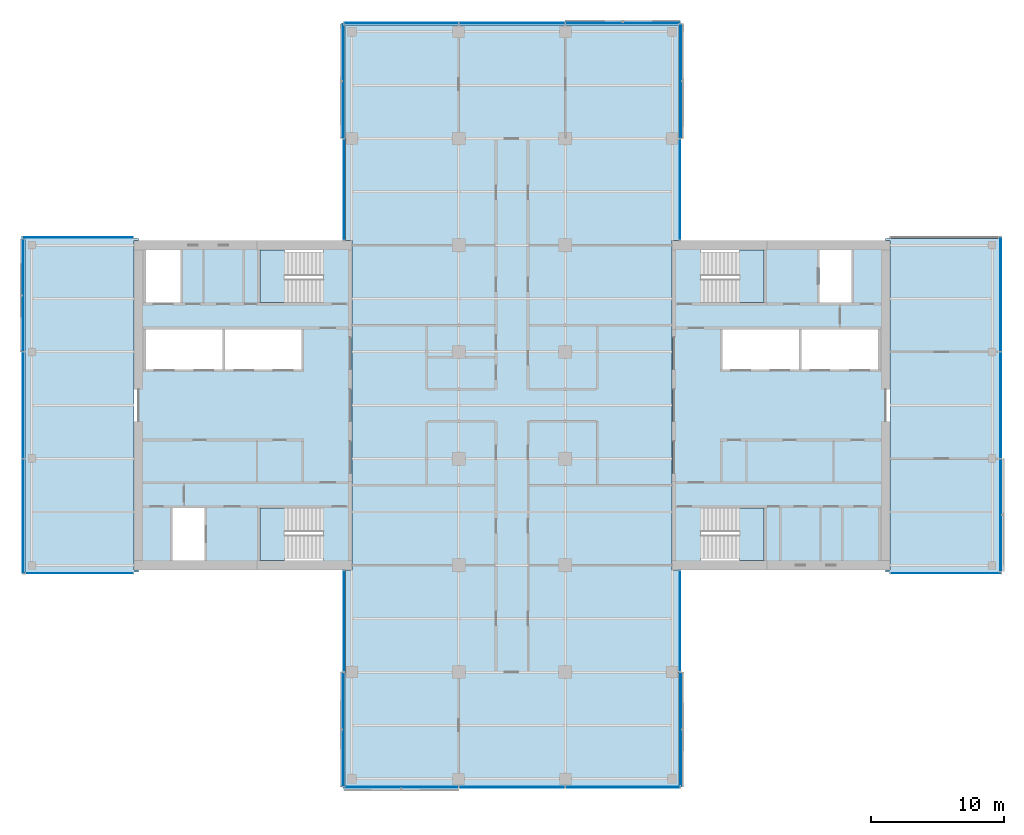
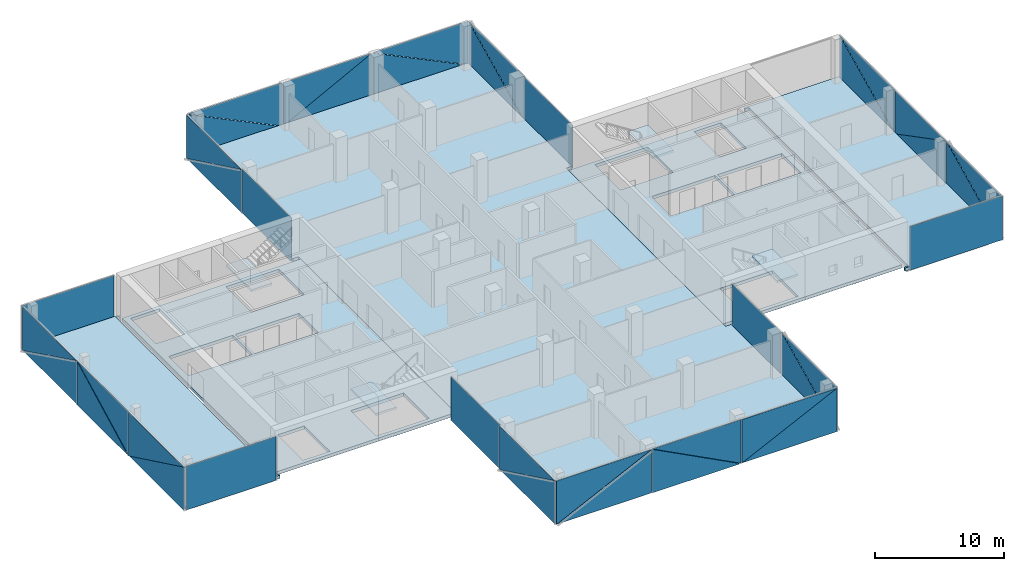
# One storey, part 12 of 22: 39 plates, 9 slabs, 19 elements without a shape of their own.
"""IFC4 building model written with IfcOpenShell, lengths in metres."""

from ifc_helpers import new_model, si_unit, direction, frame, origin, place, context, subcontext, project, spatial, polyline, outline, extrude, material, layer, layer_set, type_object, element, aggregate, save


model = new_model("IFC4")

# Units and contexts
model_context = context("Model", 3, precision=1e-05, world=origin(), true_north=direction((0.0, 1.0)))
body_context = subcontext(model_context, "Body", "Model", "MODEL_VIEW")
ifc_project = project(units=[si_unit("LENGTHUNIT", "METRE"), si_unit("AREAUNIT", "SQUARE_METRE"), si_unit("VOLUMEUNIT", "CUBIC_METRE"), si_unit("PLANEANGLEUNIT", "RADIAN"), si_unit("MASSUNIT", "GRAM", prefix="KILO")], contexts=[model_context])

# Site, building, storey
site_placement = place(None, origin())
site = spatial("IfcSite", under=ifc_project, at=site_placement, CompositionType="ELEMENT")
building_placement = place(site_placement, origin())
building = spatial("IfcBuilding", under=site, at=building_placement, Name="Crosswind Convention Tower", CompositionType="ELEMENT")
storey_placement = place(building_placement, frame((0.0, 0.0, 133.699951171875)))
storey = spatial("IfcBuildingStorey", under=building, at=storey_placement, Name="L27", CompositionType="ELEMENT", Elevation=133.699951171875)

# Slabs
ifc_material_1 = material(Name="Concrete C40/50", Category="concrete")
ifc_layer_1 = layer(ifc_material_1, 0.300048828125)
ifc_layer_set_1 = layer_set([ifc_layer_1], Name="Concrete C40/50")
slab_type_1 = type_object("IfcSlabType", Name="Composite floor slab 300", PredefinedType="FLOOR", material=ifc_layer_set_1)
slab_1_placement = place(storey_placement, frame((0.0, 0.0, -0.300048828125)))
element("IfcSlab", 1, at=slab_1_placement, inside=storey, type_object=slab_type_1, Name="Floor slab L27 part 1", PredefinedType="FLOOR", context=body_context, shape_type="SweptSolid", body=[
    extrude(outline(polyline([(97.0, 87.5), (89.0, 87.5), (88.5, 87.5), (88.5, 88.0), (88.5, 112.0), (88.5, 112.5), (89.0, 112.5), (97.0, 112.5), (97.0, 112.35009765625), (96.64990234375, 112.35009765625), (96.64990234375, 87.64990234375), (97.0, 87.64990234375), (97.0, 87.5)])), origin(), (0.0, 0.0, 1.0), 0.300048828125),
])
slab_2_placement = place(storey_placement, frame((0.0, 0.0, -0.300048828125)))
element("IfcSlab", 2, at=slab_2_placement, inside=storey, type_object=slab_type_1, Name="Floor slab L27 part 2", PredefinedType="FLOOR", context=body_context, shape_type="SweptSolid", body=[
    extrude(outline(polyline([(112.5, 87.64990234375), (113.0, 87.64990234375), (113.0, 112.35009765625), (112.5, 112.35009765625), (112.5, 128.0), (112.5, 128.5), (113.0, 128.5), (137.0, 128.5), (137.5, 128.5), (137.5, 128.0), (137.5, 112.35009765625), (137.0, 112.35009765625), (137.0, 87.64990234375), (137.5, 87.64990234375), (137.5, 72.0), (137.5, 71.5), (137.0, 71.5), (113.0, 71.5), (112.5, 71.5), (112.5, 72.0), (112.5, 87.64990234375)])), origin(), (0.0, 0.0, 1.0), 0.300048828125),
])
slab_3_placement = place(storey_placement, frame((0.0, 0.0, -0.300048828125)))
element("IfcSlab", 3, at=slab_3_placement, inside=storey, type_object=slab_type_1, Name="Floor slab L27 part 3", PredefinedType="FLOOR", context=body_context, shape_type="SweptSolid", body=[
    extrude(outline(polyline([(153.0, 112.5), (161.0, 112.5), (161.5, 112.5), (161.5, 112.0), (161.5, 88.0), (161.5, 87.5), (161.0, 87.5), (153.0, 87.5), (153.0, 87.64990234375), (153.35009765625, 87.64990234375), (153.35009765625, 112.35009765625), (153.0, 112.35009765625), (153.0, 112.5)])), origin(), (0.0, 0.0, 1.0), 0.300048828125),
])
ifc_layer_2 = layer(ifc_material_1, 0.300048828125)
ifc_layer_set_2 = layer_set([ifc_layer_2], Name="Concrete C40/50")
slab_type_2 = type_object("IfcSlabType", Name="Concrete core floor slab 300", PredefinedType="FLOOR", material=ifc_layer_set_2)
slab_4_placement = place(storey_placement, frame((0.0, 0.0, -0.300048828125)))
element("IfcSlab", 4, at=slab_4_placement, inside=storey, type_object=slab_type_2, Name="Core floor slab E L27", PredefinedType="FLOOR", context=body_context, shape_type="SweptSolid", body=[
    extrude(outline(polyline([(137.0, 88.0), (153.0, 88.0), (153.0, 112.0), (137.0, 112.0), (137.0, 88.0)]), holes=[polyline([(146.5, 102.699951171875), (146.5, 105.699951171875), (140.800048828125, 105.699951171875), (140.800048828125, 102.699951171875), (146.5, 102.699951171875)]), polyline([(152.449951171875, 102.699951171875), (152.449951171875, 105.699951171875), (146.699951171875, 105.699951171875), (146.699951171875, 102.699951171875), (152.449951171875, 102.699951171875)]), polyline([(150.449951171875, 107.699951171875), (150.449951171875, 111.64990234375), (148.050048828125, 111.64990234375), (148.050048828125, 107.699951171875), (150.449951171875, 107.699951171875)]), polyline([(143.89990234375, 107.699951171875), (143.89990234375, 111.64990234375), (139.14990234375, 111.64990234375), (139.14990234375, 107.699951171875), (143.89990234375, 107.699951171875)]), polyline([(143.89990234375, 88.35009765625), (143.89990234375, 92.300048828125), (139.14990234375, 92.300048828125), (139.14990234375, 88.35009765625), (143.89990234375, 88.35009765625)])]), origin(), (0.0, 0.0, 1.0), 0.300048828125),
])
slab_5_placement = place(storey_placement, frame((0.0, 0.0, -0.300048828125)))
element("IfcSlab", 5, at=slab_5_placement, inside=storey, type_object=slab_type_2, Name="Core floor slab W L27", PredefinedType="FLOOR", context=body_context, shape_type="SweptSolid", body=[
    extrude(outline(polyline([(97.0, 88.0), (113.0, 88.0), (113.0, 112.0), (97.0, 112.0), (97.0, 88.0)]), holes=[polyline([(109.199951171875, 102.699951171875), (109.199951171875, 105.699951171875), (103.5, 105.699951171875), (103.5, 102.699951171875), (109.199951171875, 102.699951171875)]), polyline([(103.300048828125, 102.699951171875), (103.300048828125, 105.699951171875), (97.550048828125, 105.699951171875), (97.550048828125, 102.699951171875), (103.300048828125, 102.699951171875)]), polyline([(101.949951171875, 88.35009765625), (101.949951171875, 92.300048828125), (99.550048828125, 92.300048828125), (99.550048828125, 88.35009765625), (101.949951171875, 88.35009765625)]), polyline([(100.14990234375, 107.699951171875), (100.14990234375, 111.64990234375), (97.550048828125, 111.64990234375), (97.550048828125, 107.699951171875), (100.14990234375, 107.699951171875)]), polyline([(110.85009765625, 88.35009765625), (110.85009765625, 92.300048828125), (106.10009765625, 92.300048828125), (106.10009765625, 88.35009765625), (110.85009765625, 88.35009765625)]), polyline([(110.85009765625, 107.699951171875), (110.85009765625, 111.64990234375), (106.10009765625, 111.64990234375), (106.10009765625, 107.699951171875), (110.85009765625, 107.699951171875)])]), origin(), (0.0, 0.0, 1.0), 0.300048828125),
])

# Stair, slab
stair_type = type_object("IfcStairType", Name="Exit stair 1800 wide, 2 flights of 11 risers", PredefinedType="HALF_TURN_STAIR", material=ifc_material_1)
stair_1_placement = place(storey_placement, origin())
stair_1 = element("IfcStair", 6, at=stair_1_placement, inside=storey, type_object=stair_type, Name="Exit stair ST1 L27", ObjectType="ST5", PredefinedType="HALF_TURN_STAIR")
ifc_layer_3 = layer(ifc_material_1, 0.199951171875)
ifc_layer_set_3 = layer_set([ifc_layer_3], Name="Concrete C40/50")
slab_type_3 = type_object("IfcSlabType", Name="Stair landing 200", PredefinedType="LANDING", material=ifc_layer_set_3)
slab_6_placement = place(storey_placement, frame((0.0, 0.0, 1.900146484375)))
slab_6 = element("IfcSlab", 7, at=slab_6_placement, type_object=slab_type_3, Name="ST1 landing 1", PredefinedType="LANDING", context=body_context, shape_type="SweptSolid", body=[
    extrude(outline(polyline([(143.89990234375, 107.699951171875), (143.89990234375, 111.64990234375), (142.050048828125, 111.64990234375), (142.050048828125, 107.699951171875), (143.89990234375, 107.699951171875)])), origin(), (0.0, 0.0, 1.0), 0.199951171875),
])
aggregate(stair_1, [slab_6])

stair_2_placement = place(storey_placement, origin())
stair_2 = element("IfcStair", 8, at=stair_2_placement, inside=storey, type_object=stair_type, Name="Exit stair ST2 L27", ObjectType="ST5", PredefinedType="HALF_TURN_STAIR")
slab_7_placement = place(storey_placement, frame((0.0, 0.0, 1.900146484375)))
slab_7 = element("IfcSlab", 9, at=slab_7_placement, type_object=slab_type_3, Name="ST2 landing 1", PredefinedType="LANDING", context=body_context, shape_type="SweptSolid", body=[
    extrude(outline(polyline([(143.89990234375, 88.35009765625), (143.89990234375, 92.300048828125), (142.050048828125, 92.300048828125), (142.050048828125, 88.35009765625), (143.89990234375, 88.35009765625)])), origin(), (0.0, 0.0, 1.0), 0.199951171875),
])
aggregate(stair_2, [slab_7])

stair_3_placement = place(storey_placement, origin())
stair_3 = element("IfcStair", 10, at=stair_3_placement, inside=storey, type_object=stair_type, Name="Exit stair ST3 L27", ObjectType="ST5", PredefinedType="HALF_TURN_STAIR")
slab_8_placement = place(storey_placement, frame((0.0, 0.0, 1.900146484375)))
slab_8 = element("IfcSlab", 11, at=slab_8_placement, type_object=slab_type_3, Name="ST3 landing 1", PredefinedType="LANDING", context=body_context, shape_type="SweptSolid", body=[
    extrude(outline(polyline([(107.949951171875, 88.35009765625), (107.949951171875, 92.300048828125), (106.10009765625, 92.300048828125), (106.10009765625, 88.35009765625), (107.949951171875, 88.35009765625)])), origin(), (0.0, 0.0, 1.0), 0.199951171875),
])
aggregate(stair_3, [slab_8])

stair_4_placement = place(storey_placement, origin())
stair_4 = element("IfcStair", 12, at=stair_4_placement, inside=storey, type_object=stair_type, Name="Exit stair ST4 L27", ObjectType="ST5", PredefinedType="HALF_TURN_STAIR")
slab_9_placement = place(storey_placement, frame((0.0, 0.0, 1.900146484375)))
slab_9 = element("IfcSlab", 13, at=slab_9_placement, type_object=slab_type_3, Name="ST4 landing 1", PredefinedType="LANDING", context=body_context, shape_type="SweptSolid", body=[
    extrude(outline(polyline([(107.949951171875, 107.699951171875), (107.949951171875, 111.64990234375), (106.10009765625, 111.64990234375), (106.10009765625, 107.699951171875), (107.949951171875, 107.699951171875)])), origin(), (0.0, 0.0, 1.0), 0.199951171875),
])
aggregate(stair_4, [slab_9])

# Curtain wall, plate
ifc_material_2 = material(Name="Aluminium unitised curtain wall", Category="aluminium")
curtain_wall_type_1 = type_object("IfcCurtainWallType", Name="CORE END SLOT WALL 160", PredefinedType="USERDEFINED", material=ifc_material_2)
curtain_wall_1_placement = place(storey_placement, origin())
curtain_wall_1 = element("IfcCurtainWall", 14, at=curtain_wall_1_placement, inside=storey, type_object=curtain_wall_type_1, Name="CW6 L27 N-E.1-1 slot", ObjectType="UNITISED", PredefinedType="USERDEFINED")
ifc_material_3 = material(Name="Laminated insulating glass unit", Category="glass")
ifc_layer_4 = layer(ifc_material_3, 0.02587890625)
ifc_layer_set_4 = layer_set([ifc_layer_4], Name="TRIANGULAR GLASS PANEL 26")
plate_type_1 = type_object("IfcPlateType", Name="TRIANGULAR GLASS PANEL 26", PredefinedType="CURTAIN_PANEL", material=ifc_layer_set_4)
plate_1_placement = place(storey_placement, frame((137.60693359375, 112.39990234375, -0.300048828125), z_axis=(0.999999915215, 0.0, 0.000411788894), x_axis=(0.0, 1.0, 0.0)))
plate_1 = element("IfcPlate", 15, at=plate_1_placement, type_object=plate_type_1, Name="CW6 panel 1.1", PredefinedType="CURTAIN_PANEL", context=body_context, shape_type="SweptSolid", body=[
    extrude(outline(polyline([(0.0, 0.0), (7.550048828125, 0.0), (7.550048828125, 4.1501468362454075), (0.0, 4.1501468362454075), (0.0, 0.0)])), origin(), (0.0, 0.0, -1.0), 0.02587890625),
])
aggregate(curtain_wall_1, [plate_1])

curtain_wall_2_placement = place(storey_placement, origin())
curtain_wall_2 = element("IfcCurtainWall", 16, at=curtain_wall_2_placement, inside=storey, type_object=curtain_wall_type_1, Name="CW6 L27 N-W.1-2 slot", ObjectType="UNITISED", PredefinedType="USERDEFINED")
plate_2_placement = place(storey_placement, frame((112.39306640625, 119.949951171875, -0.300048828125), z_axis=(-0.999999915215, 0.0, 0.000411788894), x_axis=(0.0, -1.0, 0.0)))
plate_2 = element("IfcPlate", 17, at=plate_2_placement, type_object=plate_type_1, Name="CW6 panel 1.1", PredefinedType="CURTAIN_PANEL", context=body_context, shape_type="SweptSolid", body=[
    extrude(outline(polyline([(0.0, 0.0), (7.550048828125, 0.0), (7.550048828125, 4.1501468362454075), (0.0, 4.1501468362454075), (0.0, 0.0)])), origin(), (0.0, 0.0, -1.0), 0.02587890625),
])
aggregate(curtain_wall_2, [plate_2])

curtain_wall_3_placement = place(storey_placement, origin())
curtain_wall_3 = element("IfcCurtainWall", 18, at=curtain_wall_3_placement, inside=storey, type_object=curtain_wall_type_1, Name="CW6 L27 W-N.2-1 slot", ObjectType="UNITISED", PredefinedType="USERDEFINED")
plate_3_placement = place(storey_placement, frame((96.60009765625, 112.60693359375, -0.300048828125), z_axis=(0.0, 0.999999915215, 0.000411788894), x_axis=(-1.0, 0.0, 0.0)))
plate_3 = element("IfcPlate", 19, at=plate_3_placement, type_object=plate_type_1, Name="CW6 panel 1.1", PredefinedType="CURTAIN_PANEL", context=body_context, shape_type="SweptSolid", body=[
    extrude(outline(polyline([(0.0, 0.0), (8.27001953125, 0.0), (8.27001953125, 4.1501468362454075), (0.0, 4.1501468362454075), (0.0, 0.0)])), origin(), (0.0, 0.0, -1.0), 0.02587890625),
])
aggregate(curtain_wall_3, [plate_3])

curtain_wall_4_placement = place(storey_placement, origin())
curtain_wall_4 = element("IfcCurtainWall", 20, at=curtain_wall_4_placement, inside=storey, type_object=curtain_wall_type_1, Name="CW6 L27 W-S.1-1 slot", ObjectType="UNITISED", PredefinedType="USERDEFINED")
plate_4_placement = place(storey_placement, frame((88.550048828125, 87.39306640625, -0.300048828125), z_axis=(0.0, -0.999999915215, 0.000411788894), x_axis=(1.0, 0.0, 0.0)))
plate_4 = element("IfcPlate", 21, at=plate_4_placement, type_object=plate_type_1, Name="CW6 panel 1.1", PredefinedType="CURTAIN_PANEL", context=body_context, shape_type="SweptSolid", body=[
    extrude(outline(polyline([(0.0, 0.0), (8.050048828125, 0.0), (8.050048828125, 4.150146836245408), (0.0, 4.150146836245408), (0.0, 0.0)])), origin(), (0.0, 0.0, -1.0), 0.02587890625),
])
aggregate(curtain_wall_4, [plate_4])

curtain_wall_5_placement = place(storey_placement, origin())
curtain_wall_5 = element("IfcCurtainWall", 22, at=curtain_wall_5_placement, inside=storey, type_object=curtain_wall_type_1, Name="CW6 L27 S-W.1-1 slot", ObjectType="UNITISED", PredefinedType="USERDEFINED")
plate_5_placement = place(storey_placement, frame((112.39306640625, 87.60009765625, -0.300048828125), z_axis=(-0.999999915215, 0.0, 0.000411788894), x_axis=(0.0, -1.0, 0.0)))
plate_5 = element("IfcPlate", 23, at=plate_5_placement, type_object=plate_type_1, Name="CW6 panel 1.1", PredefinedType="CURTAIN_PANEL", context=body_context, shape_type="SweptSolid", body=[
    extrude(outline(polyline([(0.0, 0.0), (7.550048828125, 0.0), (7.550048828125, 4.1501468362454075), (0.0, 4.1501468362454075), (0.0, 0.0)])), origin(), (0.0, 0.0, -1.0), 0.02587890625),
])
aggregate(curtain_wall_5, [plate_5])

curtain_wall_6_placement = place(storey_placement, origin())
curtain_wall_6 = element("IfcCurtainWall", 24, at=curtain_wall_6_placement, inside=storey, type_object=curtain_wall_type_1, Name="CW6 L27 S-E.1-2 slot", ObjectType="UNITISED", PredefinedType="USERDEFINED")
plate_6_placement = place(storey_placement, frame((137.60693359375, 80.050048828125, -0.300048828125), z_axis=(0.999999915215, 0.0, 0.000411788894), x_axis=(0.0, 1.0, 0.0)))
plate_6 = element("IfcPlate", 25, at=plate_6_placement, type_object=plate_type_1, Name="CW6 panel 1.1", PredefinedType="CURTAIN_PANEL", context=body_context, shape_type="SweptSolid", body=[
    extrude(outline(polyline([(0.0, 0.0), (7.550048828125, 0.0), (7.550048828125, 4.1501468362454075), (0.0, 4.1501468362454075), (0.0, 0.0)])), origin(), (0.0, 0.0, -1.0), 0.02587890625),
])
aggregate(curtain_wall_6, [plate_6])

curtain_wall_7_placement = place(storey_placement, origin())
curtain_wall_7 = element("IfcCurtainWall", 26, at=curtain_wall_7_placement, inside=storey, type_object=curtain_wall_type_1, Name="CW6 L27 E-S.2-1 slot", ObjectType="UNITISED", PredefinedType="USERDEFINED")
plate_7_placement = place(storey_placement, frame((153.39990234375, 87.39306640625, -0.300048828125), z_axis=(0.0, -0.999999915215, 0.000411788894), x_axis=(1.0, 0.0, 0.0)))
plate_7 = element("IfcPlate", 27, at=plate_7_placement, type_object=plate_type_1, Name="CW6 panel 1.1", PredefinedType="CURTAIN_PANEL", context=body_context, shape_type="SweptSolid", body=[
    extrude(outline(polyline([(0.0, 0.0), (8.27001953125, 0.0), (8.27001953125, 4.1501468362454075), (0.0, 4.1501468362454075), (0.0, 0.0)])), origin(), (0.0, 0.0, -1.0), 0.02587890625),
])
aggregate(curtain_wall_7, [plate_7])

# Curtain wall, plates
curtain_wall_type_2 = type_object("IfcCurtainWallType", Name="OFFICE UNITISED WALL 220", PredefinedType="USERDEFINED", material=ifc_material_2)
curtain_wall_8_placement = place(storey_placement, origin())
curtain_wall_8 = element("IfcCurtainWall", 28, at=curtain_wall_8_placement, inside=storey, type_object=curtain_wall_type_2, Name="CW3 L27 E-TIP 1", ObjectType="UNITISED", PredefinedType="USERDEFINED")
ifc_layer_5 = layer(ifc_material_3, 0.031982421875)
ifc_layer_set_5 = layer_set([ifc_layer_5], Name="TRIANGULAR GLASS PANEL 32")
plate_type_2 = type_object("IfcPlateType", Name="TRIANGULAR GLASS PANEL 32", PredefinedType="CURTAIN_PANEL", material=ifc_layer_set_5)
plate_8_placement = place(storey_placement, frame((161.642822265625, 95.965087890625, -0.300048828125), z_axis=(0.999999913924, 0.0, 0.000414913129), x_axis=(-0.000414913129, 0.0, 0.999999913924)))
plate_8 = element("IfcPlate", 29, at=plate_8_placement, type_object=plate_type_2, Name="CW3 panel 1.1", PredefinedType="CURTAIN_PANEL", context=body_context, shape_type="SweptSolid", body=[
    extrude(outline(polyline([(0.0, 0.0), (4.118896838915043, 0.0), (0.0, 8.372314453125), (0.0, 0.0)])), origin(), (0.0, 0.0, -1.0), 0.031982421875),
])
plate_9_placement = place(storey_placement, frame((161.67529296875, 87.570068359375, 3.830078125), z_axis=(0.99999993676, 0.0, 0.000355639833), x_axis=(0.000355639833, 0.0, -0.99999993676)))
plate_9 = element("IfcPlate", 30, at=plate_9_placement, type_object=plate_type_2, Name="CW3 panel 1.2", PredefinedType="CURTAIN_PANEL", context=body_context, shape_type="SweptSolid", body=[
    extrude(outline(polyline([(0.0, 0.0), (4.1188967448534015, 0.0), (0.0, 8.372314453125), (0.0, 0.0)])), origin(), (0.0, 0.0, -1.0), 0.031982421875),
])
plate_10_placement = place(storey_placement, frame((161.64111328125, 103.965087890625, 3.830078125), z_axis=(0.999999913913, 0.0, 0.000414937724), x_axis=(0.0, -1.0, 0.0)))
plate_10 = element("IfcPlate", 31, at=plate_10_placement, type_object=plate_type_2, Name="CW3 panel 2.1", PredefinedType="CURTAIN_PANEL", context=body_context, shape_type="SweptSolid", body=[
    extrude(outline(polyline([(0.0, 0.0), (7.908447265625, 0.0), (0.0, 4.118652698311059), (0.0, 0.0)])), origin(), (0.0, 0.0, -1.0), 0.031982421875),
])
plate_11_placement = place(storey_placement, frame((161.6767578125, 96.034912109375, -0.300048828125), z_axis=(0.99999993676, 0.0, 0.000355639833), x_axis=(0.0, 1.0, 0.0)))
plate_11 = element("IfcPlate", 32, at=plate_11_placement, type_object=plate_type_2, Name="CW3 panel 2.2", PredefinedType="CURTAIN_PANEL", context=body_context, shape_type="SweptSolid", body=[
    extrude(outline(polyline([(0.0, 0.0), (7.908447265625, 0.0), (0.0, 4.1188967448534015), (0.0, 0.0)])), origin(), (0.0, 0.0, -1.0), 0.031982421875),
])
plate_12_placement = place(storey_placement, frame((161.642822265625, 112.590087890625, -0.300048828125), z_axis=(0.999999913924, 0.0, 0.000414913129), x_axis=(-0.000414913129, 0.0, 0.999999913924)))
plate_12 = element("IfcPlate", 33, at=plate_12_placement, type_object=plate_type_2, Name="CW3 panel 3.1", PredefinedType="CURTAIN_PANEL", context=body_context, shape_type="SweptSolid", body=[
    extrude(outline(polyline([(0.0, 0.0), (4.118896838915043, 0.0), (0.0, 8.531982421874998), (0.0, 0.0)])), origin(), (0.0, 0.0, -1.0), 0.031982421875),
])
plate_13_placement = place(storey_placement, frame((161.67529296875, 104.034912109375, 3.830078125), z_axis=(0.99999993676, 0.0, 0.000355639833), x_axis=(0.000355639833, 0.0, -0.99999993676)))
plate_13 = element("IfcPlate", 34, at=plate_13_placement, type_object=plate_type_2, Name="CW3 panel 3.2", PredefinedType="CURTAIN_PANEL", context=body_context, shape_type="SweptSolid", body=[
    extrude(outline(polyline([(0.0, 0.0), (4.1188967448534015, 0.0), (0.0, 8.531982421875), (0.0, 0.0)])), origin(), (0.0, 0.0, -1.0), 0.031982421875),
])
aggregate(curtain_wall_8, [plate_8, plate_9, plate_10, plate_11, plate_12, plate_13])

curtain_wall_9_placement = place(storey_placement, origin())
curtain_wall_9 = element("IfcCurtainWall", 35, at=curtain_wall_9_placement, inside=storey, type_object=curtain_wall_type_2, Name="CW3 L27 N-E 1", ObjectType="UNITISED", PredefinedType="USERDEFINED")
plate_14_placement = place(storey_placement, frame((137.642822265625, 128.574951171875, -0.300048828125), z_axis=(0.999999913924, 0.0, 0.000414913129), x_axis=(-0.000414913129, 0.0, 0.999999913924)))
plate_14 = element("IfcPlate", 36, at=plate_14_placement, type_object=plate_type_2, Name="CW3 panel 1.1", PredefinedType="CURTAIN_PANEL", context=body_context, shape_type="SweptSolid", body=[
    extrude(outline(polyline([(0.0, 0.0), (4.118896838915043, 0.0), (0.0, 8.517089843749998), (0.0, 0.0)])), origin(), (0.0, 0.0, -1.0), 0.031982421875),
])
plate_15_placement = place(storey_placement, frame((137.67529296875, 120.034912109375, 3.830078125), z_axis=(0.99999993676, 0.0, 0.000355639833), x_axis=(0.000355639833, 0.0, -0.99999993676)))
plate_15 = element("IfcPlate", 37, at=plate_15_placement, type_object=plate_type_2, Name="CW3 panel 1.2", PredefinedType="CURTAIN_PANEL", context=body_context, shape_type="SweptSolid", body=[
    extrude(outline(polyline([(0.0, 0.0), (4.1188967448534015, 0.0), (0.0, 8.51708984375), (0.0, 0.0)])), origin(), (0.0, 0.0, -1.0), 0.031982421875),
])
aggregate(curtain_wall_9, [plate_14, plate_15])

curtain_wall_10_placement = place(storey_placement, origin())
curtain_wall_10 = element("IfcCurtainWall", 38, at=curtain_wall_10_placement, inside=storey, type_object=curtain_wall_type_2, Name="CW3 L27 N-TIP 1", ObjectType="UNITISED", PredefinedType="USERDEFINED")
plate_16_placement = place(storey_placement, frame((129.034912109375, 128.642822265625, -0.300048828125), z_axis=(0.0, 0.999999913924, 0.000414913129), x_axis=(0.0, -0.000414913129, 0.999999913924)))
plate_16 = element("IfcPlate", 39, at=plate_16_placement, type_object=plate_type_2, Name="CW3 panel 1.1", PredefinedType="CURTAIN_PANEL", context=body_context, shape_type="SweptSolid", body=[
    extrude(outline(polyline([(0.0, 0.0), (4.118896838915043, 0.0), (0.0, 8.517089843749998), (0.0, 0.0)])), origin(), (0.0, 0.0, -1.0), 0.031982421875),
])
plate_17_placement = place(storey_placement, frame((137.574951171875, 128.67529296875, 3.830078125), z_axis=(0.0, 0.99999993676, 0.000355639833), x_axis=(0.0, 0.000355639833, -0.99999993676)))
plate_17 = element("IfcPlate", 40, at=plate_17_placement, type_object=plate_type_2, Name="CW3 panel 1.2", PredefinedType="CURTAIN_PANEL", context=body_context, shape_type="SweptSolid", body=[
    extrude(outline(polyline([(0.0, 0.0), (4.1188967448534015, 0.0), (0.0, 8.51708984375), (0.0, 0.0)])), origin(), (0.0, 0.0, -1.0), 0.031982421875),
])
plate_18_placement = place(storey_placement, frame((121.034912109375, 128.64111328125, 3.830078125), z_axis=(0.0, 0.999999913913, 0.000414937724), x_axis=(1.0, 0.0, 0.0)))
plate_18 = element("IfcPlate", 41, at=plate_18_placement, type_object=plate_type_2, Name="CW3 panel 2.1", PredefinedType="CURTAIN_PANEL", context=body_context, shape_type="SweptSolid", body=[
    extrude(outline(polyline([(0.0, 0.0), (7.908447265625, 0.0), (0.0, 4.118652698311059), (0.0, 0.0)])), origin(), (0.0, 0.0, -1.0), 0.031982421875),
])
plate_19_placement = place(storey_placement, frame((128.965087890625, 128.6767578125, -0.300048828125), z_axis=(0.0, 0.99999993676, 0.000355639833), x_axis=(-1.0, 0.0, 0.0)))
plate_19 = element("IfcPlate", 42, at=plate_19_placement, type_object=plate_type_2, Name="CW3 panel 2.2", PredefinedType="CURTAIN_PANEL", context=body_context, shape_type="SweptSolid", body=[
    extrude(outline(polyline([(0.0, 0.0), (7.908447265625, 0.0), (0.0, 4.1188967448534015), (0.0, 0.0)])), origin(), (0.0, 0.0, -1.0), 0.031982421875),
])
plate_20_placement = place(storey_placement, frame((112.425048828125, 128.642822265625, -0.300048828125), z_axis=(0.0, 0.999999913924, 0.000414913129), x_axis=(0.0, -0.000414913129, 0.999999913924)))
plate_20 = element("IfcPlate", 43, at=plate_20_placement, type_object=plate_type_2, Name="CW3 panel 3.1", PredefinedType="CURTAIN_PANEL", context=body_context, shape_type="SweptSolid", body=[
    extrude(outline(polyline([(0.0, 0.0), (4.118896838915043, 0.0), (0.0, 8.517089843749998), (0.0, 0.0)])), origin(), (0.0, 0.0, -1.0), 0.031982421875),
])
plate_21_placement = place(storey_placement, frame((120.965087890625, 128.67529296875, 3.830078125), z_axis=(0.0, 0.99999993676, 0.000355639833), x_axis=(0.0, 0.000355639833, -0.99999993676)))
plate_21 = element("IfcPlate", 44, at=plate_21_placement, type_object=plate_type_2, Name="CW3 panel 3.2", PredefinedType="CURTAIN_PANEL", context=body_context, shape_type="SweptSolid", body=[
    extrude(outline(polyline([(0.0, 0.0), (4.1188967448534015, 0.0), (0.0, 8.51708984375), (0.0, 0.0)])), origin(), (0.0, 0.0, -1.0), 0.031982421875),
])
aggregate(curtain_wall_10, [plate_16, plate_17, plate_18, plate_19, plate_20, plate_21])

curtain_wall_11_placement = place(storey_placement, origin())
curtain_wall_11 = element("IfcCurtainWall", 45, at=curtain_wall_11_placement, inside=storey, type_object=curtain_wall_type_2, Name="CW3 L27 N-W 1", ObjectType="UNITISED", PredefinedType="USERDEFINED")
plate_22_placement = place(storey_placement, frame((112.357177734375, 120.034912109375, -0.300048828125), z_axis=(-0.999999913924, 0.0, 0.000414913129), x_axis=(0.000414913129, 0.0, 0.999999913924)))
plate_22 = element("IfcPlate", 46, at=plate_22_placement, type_object=plate_type_2, Name="CW3 panel 1.1", PredefinedType="CURTAIN_PANEL", context=body_context, shape_type="SweptSolid", body=[
    extrude(outline(polyline([(0.0, 0.0), (4.118896838915043, 0.0), (0.0, 8.517089843749998), (0.0, 0.0)])), origin(), (0.0, 0.0, -1.0), 0.031982421875),
])
plate_23_placement = place(storey_placement, frame((112.32470703125, 128.574951171875, 3.830078125), z_axis=(-0.99999993676, 0.0, 0.000355639833), x_axis=(-0.000355639833, 0.0, -0.99999993676)))
plate_23 = element("IfcPlate", 47, at=plate_23_placement, type_object=plate_type_2, Name="CW3 panel 1.2", PredefinedType="CURTAIN_PANEL", context=body_context, shape_type="SweptSolid", body=[
    extrude(outline(polyline([(0.0, 0.0), (4.1188967448534015, 0.0), (0.0, 8.51708984375), (0.0, 0.0)])), origin(), (0.0, 0.0, -1.0), 0.031982421875),
])
aggregate(curtain_wall_11, [plate_22, plate_23])

curtain_wall_12_placement = place(storey_placement, origin())
curtain_wall_12 = element("IfcCurtainWall", 48, at=curtain_wall_12_placement, inside=storey, type_object=curtain_wall_type_2, Name="CW3 L27 W-TIP 1", ObjectType="UNITISED", PredefinedType="USERDEFINED")
plate_24_placement = place(storey_placement, frame((88.357177734375, 104.034912109375, -0.300048828125), z_axis=(-0.999999913924, 0.0, 0.000414913129), x_axis=(0.000414913129, 0.0, 0.999999913924)))
plate_24 = element("IfcPlate", 49, at=plate_24_placement, type_object=plate_type_2, Name="CW3 panel 1.1", PredefinedType="CURTAIN_PANEL", context=body_context, shape_type="SweptSolid", body=[
    extrude(outline(polyline([(0.0, 0.0), (4.118896838915043, 0.0), (0.0, 8.372314453125), (0.0, 0.0)])), origin(), (0.0, 0.0, -1.0), 0.031982421875),
])
plate_25_placement = place(storey_placement, frame((88.32470703125, 112.429931640625, 3.830078125), z_axis=(-0.99999993676, 0.0, 0.000355639833), x_axis=(-0.000355639833, 0.0, -0.99999993676)))
plate_25 = element("IfcPlate", 50, at=plate_25_placement, type_object=plate_type_2, Name="CW3 panel 1.2", PredefinedType="CURTAIN_PANEL", context=body_context, shape_type="SweptSolid", body=[
    extrude(outline(polyline([(0.0, 0.0), (4.1188967448534015, 0.0), (0.0, 8.372314453125), (0.0, 0.0)])), origin(), (0.0, 0.0, -1.0), 0.031982421875),
])
plate_26_placement = place(storey_placement, frame((88.35888671875, 96.034912109375, 3.830078125), z_axis=(-0.999999913913, 0.0, 0.000414937724), x_axis=(0.0, 1.0, 0.0)))
plate_26 = element("IfcPlate", 51, at=plate_26_placement, type_object=plate_type_2, Name="CW3 panel 2.1", PredefinedType="CURTAIN_PANEL", context=body_context, shape_type="SweptSolid", body=[
    extrude(outline(polyline([(0.0, 0.0), (7.908447265625, 0.0), (0.0, 4.118652698311059), (0.0, 0.0)])), origin(), (0.0, 0.0, -1.0), 0.031982421875),
])
plate_27_placement = place(storey_placement, frame((88.3232421875, 103.965087890625, -0.300048828125), z_axis=(-0.99999993676, 0.0, 0.000355639833), x_axis=(0.0, -1.0, 0.0)))
plate_27 = element("IfcPlate", 52, at=plate_27_placement, type_object=plate_type_2, Name="CW3 panel 2.2", PredefinedType="CURTAIN_PANEL", context=body_context, shape_type="SweptSolid", body=[
    extrude(outline(polyline([(0.0, 0.0), (7.908447265625, 0.0), (0.0, 4.1188967448534015), (0.0, 0.0)])), origin(), (0.0, 0.0, -1.0), 0.031982421875),
])
plate_28_placement = place(storey_placement, frame((88.357177734375, 87.409912109375, -0.300048828125), z_axis=(-0.999999913924, 0.0, 0.000414913129), x_axis=(0.000414913129, 0.0, 0.999999913924)))
plate_28 = element("IfcPlate", 53, at=plate_28_placement, type_object=plate_type_2, Name="CW3 panel 3.1", PredefinedType="CURTAIN_PANEL", context=body_context, shape_type="SweptSolid", body=[
    extrude(outline(polyline([(0.0, 0.0), (4.118896838915043, 0.0), (0.0, 8.531982421874998), (0.0, 0.0)])), origin(), (0.0, 0.0, -1.0), 0.031982421875),
])
plate_29_placement = place(storey_placement, frame((88.32470703125, 95.965087890625, 3.830078125), z_axis=(-0.99999993676, 0.0, 0.000355639833), x_axis=(-0.000355639833, 0.0, -0.99999993676)))
plate_29 = element("IfcPlate", 54, at=plate_29_placement, type_object=plate_type_2, Name="CW3 panel 3.2", PredefinedType="CURTAIN_PANEL", context=body_context, shape_type="SweptSolid", body=[
    extrude(outline(polyline([(0.0, 0.0), (4.1188967448534015, 0.0), (0.0, 8.531982421875), (0.0, 0.0)])), origin(), (0.0, 0.0, -1.0), 0.031982421875),
])
aggregate(curtain_wall_12, [plate_24, plate_25, plate_26, plate_27, plate_28, plate_29])

curtain_wall_13_placement = place(storey_placement, origin())
curtain_wall_13 = element("IfcCurtainWall", 55, at=curtain_wall_13_placement, inside=storey, type_object=curtain_wall_type_2, Name="CW3 L27 S-W 1", ObjectType="UNITISED", PredefinedType="USERDEFINED")
plate_30_placement = place(storey_placement, frame((112.357177734375, 71.425048828125, -0.300048828125), z_axis=(-0.999999913924, 0.0, 0.000414913129), x_axis=(0.000414913129, 0.0, 0.999999913924)))
plate_30 = element("IfcPlate", 56, at=plate_30_placement, type_object=plate_type_2, Name="CW3 panel 1.1", PredefinedType="CURTAIN_PANEL", context=body_context, shape_type="SweptSolid", body=[
    extrude(outline(polyline([(0.0, 0.0), (4.118896838915043, 0.0), (0.0, 8.517089843749998), (0.0, 0.0)])), origin(), (0.0, 0.0, -1.0), 0.031982421875),
])
plate_31_placement = place(storey_placement, frame((112.32470703125, 79.965087890625, 3.830078125), z_axis=(-0.99999993676, 0.0, 0.000355639833), x_axis=(-0.000355639833, 0.0, -0.99999993676)))
plate_31 = element("IfcPlate", 57, at=plate_31_placement, type_object=plate_type_2, Name="CW3 panel 1.2", PredefinedType="CURTAIN_PANEL", context=body_context, shape_type="SweptSolid", body=[
    extrude(outline(polyline([(0.0, 0.0), (4.1188967448534015, 0.0), (0.0, 8.51708984375), (0.0, 0.0)])), origin(), (0.0, 0.0, -1.0), 0.031982421875),
])
aggregate(curtain_wall_13, [plate_30, plate_31])

curtain_wall_14_placement = place(storey_placement, origin())
curtain_wall_14 = element("IfcCurtainWall", 58, at=curtain_wall_14_placement, inside=storey, type_object=curtain_wall_type_2, Name="CW3 L27 S-TIP 1", ObjectType="UNITISED", PredefinedType="USERDEFINED")
plate_32_placement = place(storey_placement, frame((120.965087890625, 71.357177734375, -0.300048828125), z_axis=(0.0, -0.999999913924, 0.000414913129), x_axis=(0.0, 0.000414913129, 0.999999913924)))
plate_32 = element("IfcPlate", 59, at=plate_32_placement, type_object=plate_type_2, Name="CW3 panel 1.1", PredefinedType="CURTAIN_PANEL", context=body_context, shape_type="SweptSolid", body=[
    extrude(outline(polyline([(0.0, 0.0), (4.118896838915043, 0.0), (0.0, 8.517089843749998), (0.0, 0.0)])), origin(), (0.0, 0.0, -1.0), 0.031982421875),
])
plate_33_placement = place(storey_placement, frame((112.425048828125, 71.32470703125, 3.830078125), z_axis=(0.0, -0.99999993676, 0.000355639833), x_axis=(0.0, -0.000355639833, -0.99999993676)))
plate_33 = element("IfcPlate", 60, at=plate_33_placement, type_object=plate_type_2, Name="CW3 panel 1.2", PredefinedType="CURTAIN_PANEL", context=body_context, shape_type="SweptSolid", body=[
    extrude(outline(polyline([(0.0, 0.0), (4.1188967448534015, 0.0), (0.0, 8.51708984375), (0.0, 0.0)])), origin(), (0.0, 0.0, -1.0), 0.031982421875),
])
plate_34_placement = place(storey_placement, frame((128.965087890625, 71.35888671875, 3.830078125), z_axis=(0.0, -0.999999913913, 0.000414937724), x_axis=(-1.0, 0.0, 0.0)))
plate_34 = element("IfcPlate", 61, at=plate_34_placement, type_object=plate_type_2, Name="CW3 panel 2.1", PredefinedType="CURTAIN_PANEL", context=body_context, shape_type="SweptSolid", body=[
    extrude(outline(polyline([(0.0, 0.0), (7.908447265625, 0.0), (0.0, 4.118652698311059), (0.0, 0.0)])), origin(), (0.0, 0.0, -1.0), 0.031982421875),
])
plate_35_placement = place(storey_placement, frame((121.034912109375, 71.3232421875, -0.300048828125), z_axis=(0.0, -0.99999993676, 0.000355639833), x_axis=(1.0, 0.0, 0.0)))
plate_35 = element("IfcPlate", 62, at=plate_35_placement, type_object=plate_type_2, Name="CW3 panel 2.2", PredefinedType="CURTAIN_PANEL", context=body_context, shape_type="SweptSolid", body=[
    extrude(outline(polyline([(0.0, 0.0), (7.908447265625, 0.0), (0.0, 4.1188967448534015), (0.0, 0.0)])), origin(), (0.0, 0.0, -1.0), 0.031982421875),
])
plate_36_placement = place(storey_placement, frame((137.574951171875, 71.357177734375, -0.300048828125), z_axis=(0.0, -0.999999913924, 0.000414913129), x_axis=(0.0, 0.000414913129, 0.999999913924)))
plate_36 = element("IfcPlate", 63, at=plate_36_placement, type_object=plate_type_2, Name="CW3 panel 3.1", PredefinedType="CURTAIN_PANEL", context=body_context, shape_type="SweptSolid", body=[
    extrude(outline(polyline([(0.0, 0.0), (4.118896838915043, 0.0), (0.0, 8.517089843749998), (0.0, 0.0)])), origin(), (0.0, 0.0, -1.0), 0.031982421875),
])
plate_37_placement = place(storey_placement, frame((129.034912109375, 71.32470703125, 3.830078125), z_axis=(0.0, -0.99999993676, 0.000355639833), x_axis=(0.0, -0.000355639833, -0.99999993676)))
plate_37 = element("IfcPlate", 64, at=plate_37_placement, type_object=plate_type_2, Name="CW3 panel 3.2", PredefinedType="CURTAIN_PANEL", context=body_context, shape_type="SweptSolid", body=[
    extrude(outline(polyline([(0.0, 0.0), (4.1188967448534015, 0.0), (0.0, 8.51708984375), (0.0, 0.0)])), origin(), (0.0, 0.0, -1.0), 0.031982421875),
])
aggregate(curtain_wall_14, [plate_32, plate_33, plate_34, plate_35, plate_36, plate_37])

curtain_wall_15_placement = place(storey_placement, origin())
curtain_wall_15 = element("IfcCurtainWall", 65, at=curtain_wall_15_placement, inside=storey, type_object=curtain_wall_type_2, Name="CW3 L27 S-E 1", ObjectType="UNITISED", PredefinedType="USERDEFINED")
plate_38_placement = place(storey_placement, frame((137.642822265625, 79.965087890625, -0.300048828125), z_axis=(0.999999913924, 0.0, 0.000414913129), x_axis=(-0.000414913129, 0.0, 0.999999913924)))
plate_38 = element("IfcPlate", 66, at=plate_38_placement, type_object=plate_type_2, Name="CW3 panel 1.1", PredefinedType="CURTAIN_PANEL", context=body_context, shape_type="SweptSolid", body=[
    extrude(outline(polyline([(0.0, 0.0), (4.118896838915043, 0.0), (0.0, 8.517089843749998), (0.0, 0.0)])), origin(), (0.0, 0.0, -1.0), 0.031982421875),
])
plate_39_placement = place(storey_placement, frame((137.67529296875, 71.425048828125, 3.830078125), z_axis=(0.99999993676, 0.0, 0.000355639833), x_axis=(0.000355639833, 0.0, -0.99999993676)))
plate_39 = element("IfcPlate", 67, at=plate_39_placement, type_object=plate_type_2, Name="CW3 panel 1.2", PredefinedType="CURTAIN_PANEL", context=body_context, shape_type="SweptSolid", body=[
    extrude(outline(polyline([(0.0, 0.0), (4.1188967448534015, 0.0), (0.0, 8.51708984375), (0.0, 0.0)])), origin(), (0.0, 0.0, -1.0), 0.031982421875),
])
aggregate(curtain_wall_15, [plate_38, plate_39])

save(model, "model.ifc")
